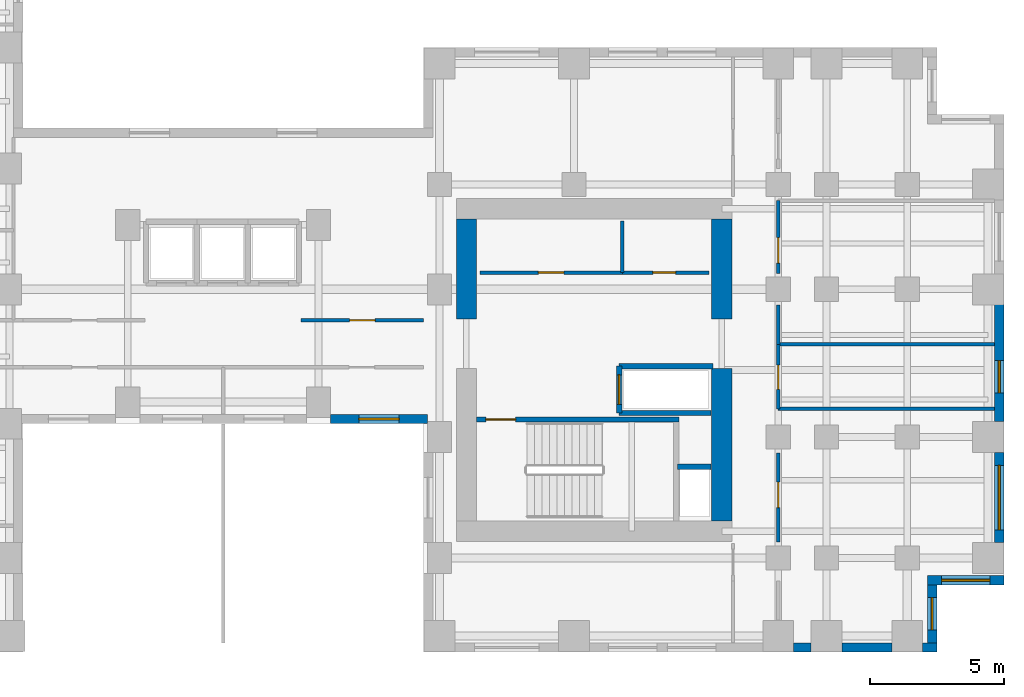
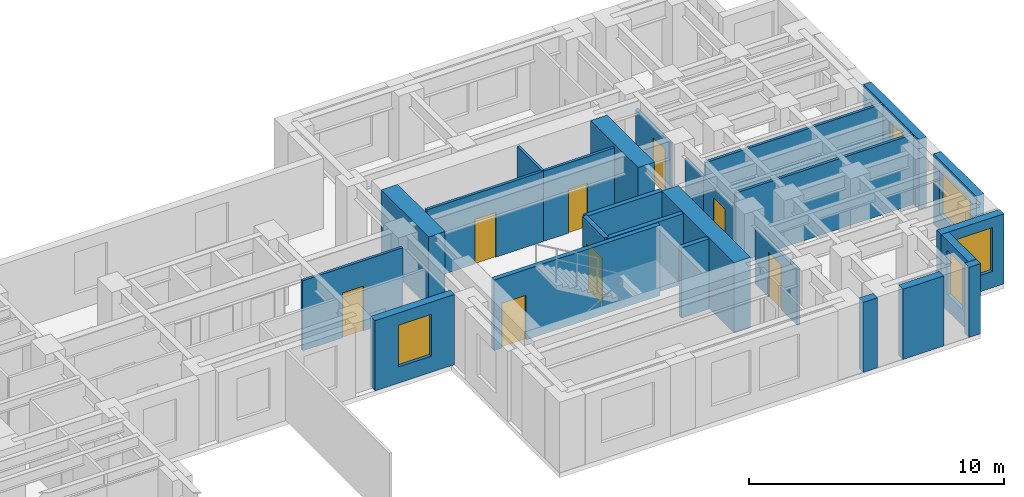
# One storey, part 7 of 11: 26 walls, 8 doors, 5 windows, 13 openings.
"""IFC4 building model written with IfcOpenShell, lengths in metres."""

from ifc_helpers import new_model, si_unit, direction, frame, frame_2d, origin, place, context, subcontext, project, spatial, rectangle, extrude, source, transform, mapped, material, layer, layer_set, type_object, element, fill, save


model = new_model("IFC4")

# Units and contexts
model_context = context("Model", 3, precision=1e-05, world=origin(), true_north=direction((0.0, 1.0)))
body_context = subcontext(model_context, "Body", "Model", "MODEL_VIEW")
ifc_project = project(units=[si_unit("LENGTHUNIT", "METRE"), si_unit("AREAUNIT", "SQUARE_METRE"), si_unit("VOLUMEUNIT", "CUBIC_METRE"), si_unit("PLANEANGLEUNIT", "RADIAN"), si_unit("MASSUNIT", "GRAM", prefix="KILO")], contexts=[model_context])

# Site, building, storey
site_placement = place(None, origin())
site = spatial("IfcSite", under=ifc_project, at=site_placement, CompositionType="ELEMENT")
building_placement = place(site_placement, origin())
building = spatial("IfcBuilding", under=site, at=building_placement, Name="Kharzan Plaza Tower", CompositionType="ELEMENT")
storey_placement = place(building_placement, frame((0.0, 0.0, 99.0)))
storey = spatial("IfcBuildingStorey", under=building, at=storey_placement, Name="L26", CompositionType="ELEMENT", Elevation=99.0)

# Wall, opening, window
ifc_material_1 = material(Name="Concrete C40/50", Category="concrete")
ifc_layer_1 = layer(ifc_material_1, 0.35009765625)
ifc_layer_set_1 = layer_set([ifc_layer_1], Name="Concrete C40/50")
wall_type_1 = type_object("IfcWallType", Name="WL-EXT-MAS-Z2", PredefinedType="SOLIDWALL", material=ifc_layer_set_1)
wall_1_placement = place(storey_placement, frame((30.947998046875, 8.675048828125, 0.0), z_axis=(0.0, 0.0, 1.0), x_axis=(1.0, 0.0, 0.0)))
wall_1 = element("IfcWall", 1, at=wall_1_placement, inside=storey, type_object=wall_type_1, Name="L26 Masonry-Frame Exterior Wall 36", PredefinedType="SOLIDWALL", context=body_context, shape_type="SweptSolid", body=[
    extrude(rectangle(XDim=3.60400390625, YDim=0.35009765625, at=frame_2d((1.802001953125, 0.0))), origin(), (0.0, 0.0, 1.0), 3.364990234375),
])
opening_1_placement = place(wall_1_placement, frame((1.052001953125, 0.0, 0.780029296875)))
opening_1 = element("IfcOpeningElement", 2, at=opening_1_placement, cuts=wall_1, Name="Opening W5", PredefinedType="OPENING", context=body_context, shape_type="SweptSolid", body=[
    extrude(rectangle(XDim=1.5, YDim=2.0, at=frame_2d((0.75, 1.0))), frame((0.0, 0.18505859375, 0.0), z_axis=(0.0, -1.0, 0.0), x_axis=(1.0, 0.0, 0.0)), (0.0, 0.0, 1.0), 0.3701171875),
])
ifc_material_2 = material(Name="Low-E Double Glazing", Category="glass")
window_type_1 = type_object("IfcWindowType", Name="WN-SLT-1500x2000", PartitioningType="SINGLE_PANEL", PredefinedType="WINDOW", material=ifc_material_2)
shared_shape_1 = source(origin(), body_context, "Body", "SweptSolid", [
    extrude(rectangle(XDim=1.5, YDim=2.0, at=frame_2d((0.75, 1.0))), frame((0.0, 0.030029296875, 0.0), z_axis=(0.0, -1.0, 0.0), x_axis=(1.0, 0.0, 0.0)), (0.0, 0.0, 1.0), 0.06005859375),
])
window_1_placement = place(opening_1_placement, origin())
window_1 = element("IfcWindow", 3, at=window_1_placement, inside=storey, type_object=window_type_1, Name="L26 Recessed Solar-Control Window 36-1", OverallHeight=2.0, OverallWidth=1.5, PartitioningType="SINGLE_PANEL", PredefinedType="WINDOW", context=body_context, shape_type="MappedRepresentation", body=[
    mapped(shared_shape_1, transform((0.0, 0.0, 0.0), x_axis=(1.0, 0.0, 0.0), y_axis=(0.0, 1.0, 0.0), z_axis=(0.0, 0.0, 1.0))),
])
fill(opening_1, window_1)

wall_2_placement = place(storey_placement, frame((53.324951171875, 0.347900390625, 0.0), z_axis=(0.0, 0.0, 1.0), x_axis=(0.0, 1.0, 0.0)))
wall_2 = element("IfcWall", 4, at=wall_2_placement, inside=storey, type_object=wall_type_1, Name="L26 Masonry-Frame Exterior Wall 44", PredefinedType="SOLIDWALL", context=body_context, shape_type="SweptSolid", body=[
    extrude(rectangle(XDim=2.154052734375, YDim=0.35009765625, at=frame_2d((1.0771484375, 0.0))), origin(), (0.0, 0.0, 1.0), 3.364990234375),
])
opening_2_placement = place(wall_2_placement, frame((0.47705078125, 0.0, 0.780029296875)))
opening_2 = element("IfcOpeningElement", 5, at=opening_2_placement, cuts=wall_2, Name="Opening W3", PredefinedType="OPENING", context=body_context, shape_type="SweptSolid", body=[
    extrude(rectangle(XDim=1.199951171875, YDim=2.10009765625, at=frame_2d((0.60009765625, 1.050048828125))), frame((0.0, 0.18505859375, 0.0), z_axis=(0.0, -1.0, 0.0), x_axis=(1.0, 0.0, 0.0)), (0.0, 0.0, 1.0), 0.3701171875),
])
window_type_2 = type_object("IfcWindowType", Name="WN-REC-1200x2100", PartitioningType="SINGLE_PANEL", PredefinedType="WINDOW", material=ifc_material_2)
shared_shape_2 = source(origin(), body_context, "Body", "SweptSolid", [
    extrude(rectangle(XDim=1.199951171875, YDim=2.10009765625, at=frame_2d((0.60009765625, 1.050048828125))), frame((0.0, 0.030029296875, 0.0), z_axis=(0.0, -1.0, 0.0), x_axis=(1.0, 0.0, 0.0)), (0.0, 0.0, 1.0), 0.06005859375),
])
window_2_placement = place(opening_2_placement, origin())
window_2 = element("IfcWindow", 6, at=window_2_placement, inside=storey, type_object=window_type_2, Name="L26 Recessed Solar-Control Window 44-1", OverallHeight=2.10009765625, OverallWidth=1.199951171875, PartitioningType="SINGLE_PANEL", PredefinedType="WINDOW", context=body_context, shape_type="MappedRepresentation", body=[
    mapped(shared_shape_2, transform((0.0, 0.0, 0.0), x_axis=(1.0, 0.0, 0.0), y_axis=(0.0, 1.0, 0.0), z_axis=(0.0, 0.0, 1.0))),
])
fill(opening_2, window_2)

wall_3_placement = place(storey_placement, frame((53.14990234375, 2.675048828125, 0.0), z_axis=(0.0, 0.0, 1.0), x_axis=(1.0, 0.0, 0.0)))
wall_3 = element("IfcWall", 7, at=wall_3_placement, inside=storey, type_object=wall_type_1, Name="L26 Masonry-Frame Exterior Wall 45", PredefinedType="SOLIDWALL", context=body_context, shape_type="SweptSolid", body=[
    extrude(rectangle(XDim=2.85009765625, YDim=0.35009765625, at=frame_2d((1.425048828125, 0.0))), origin(), (0.0, 0.0, 1.0), 3.364990234375),
])
opening_3_placement = place(wall_3_placement, frame((0.52490234375, 0.0, 0.780029296875)))
opening_3 = element("IfcOpeningElement", 8, at=opening_3_placement, cuts=wall_3, Name="Opening W1", PredefinedType="OPENING", context=body_context, shape_type="SweptSolid", body=[
    extrude(rectangle(XDim=1.800048828125, YDim=2.10009765625, at=frame_2d((0.89990234375, 1.050048828125))), frame((0.0, 0.18505859375, 0.0), z_axis=(0.0, -1.0, 0.0), x_axis=(1.0, 0.0, 0.0)), (0.0, 0.0, 1.0), 0.3701171875),
])
window_type_3 = type_object("IfcWindowType", Name="WN-REC-1800x2100", PartitioningType="SINGLE_PANEL", PredefinedType="WINDOW", material=ifc_material_2)
shared_shape_3 = source(origin(), body_context, "Body", "SweptSolid", [
    extrude(rectangle(XDim=1.800048828125, YDim=2.10009765625, at=frame_2d((0.89990234375, 1.050048828125))), frame((0.0, 0.030029296875, 0.0), z_axis=(0.0, -1.0, 0.0), x_axis=(1.0, 0.0, 0.0)), (0.0, 0.0, 1.0), 0.06005859375),
])
window_3_placement = place(opening_3_placement, origin())
window_3 = element("IfcWindow", 9, at=window_3_placement, inside=storey, type_object=window_type_3, Name="L26 Recessed Solar-Control Window 45-1", OverallHeight=2.10009765625, OverallWidth=1.800048828125, PartitioningType="SINGLE_PANEL", PredefinedType="WINDOW", context=body_context, shape_type="MappedRepresentation", body=[
    mapped(shared_shape_3, transform((0.0, 0.0, 0.0), x_axis=(1.0, 0.0, 0.0), y_axis=(0.0, 1.0, 0.0), z_axis=(0.0, 0.0, 1.0))),
])
fill(opening_3, window_3)

wall_4_placement = place(storey_placement, frame((55.824951171875, 4.072998046875, 0.0), z_axis=(0.0, 0.0, 1.0), x_axis=(0.0, 1.0, 0.0)))
wall_4 = element("IfcWall", 10, at=wall_4_placement, inside=storey, type_object=wall_type_1, Name="L26 Masonry-Frame Exterior Wall 46", PredefinedType="SOLIDWALL", context=body_context, shape_type="SweptSolid", body=[
    extrude(rectangle(XDim=3.35400390625, YDim=0.35009765625, at=frame_2d((1.677001953125, 0.0))), origin(), (0.0, 0.0, 1.0), 3.364990234375),
])
opening_4_placement = place(wall_4_placement, frame((0.47705078125, 0.0, 0.780029296875)))
opening_4 = element("IfcOpeningElement", 11, at=opening_4_placement, cuts=wall_4, Name="Opening W2", PredefinedType="OPENING", context=body_context, shape_type="SweptSolid", body=[
    extrude(rectangle(XDim=2.39990234375, YDim=2.10009765625, at=frame_2d((1.199951171875, 1.050048828125))), frame((0.0, 0.18505859375, 0.0), z_axis=(0.0, -1.0, 0.0), x_axis=(1.0, 0.0, 0.0)), (0.0, 0.0, 1.0), 0.3701171875),
])
window_type_4 = type_object("IfcWindowType", Name="WN-REC-2400x2100", PartitioningType="SINGLE_PANEL", PredefinedType="WINDOW", material=ifc_material_2)
shared_shape_4 = source(origin(), body_context, "Body", "SweptSolid", [
    extrude(rectangle(XDim=2.39990234375, YDim=2.10009765625, at=frame_2d((1.199951171875, 1.050048828125))), frame((0.0, 0.030029296875, 0.0), z_axis=(0.0, -1.0, 0.0), x_axis=(1.0, 0.0, 0.0)), (0.0, 0.0, 1.0), 0.06005859375),
])
window_4_placement = place(opening_4_placement, origin())
window_4 = element("IfcWindow", 12, at=window_4_placement, inside=storey, type_object=window_type_4, Name="L26 Wide Recessed Solar-Control Window 46-1", OverallHeight=2.10009765625, OverallWidth=2.39990234375, PartitioningType="SINGLE_PANEL", PredefinedType="WINDOW", context=body_context, shape_type="MappedRepresentation", body=[
    mapped(shared_shape_4, transform((0.0, 0.0, 0.0), x_axis=(1.0, 0.0, 0.0), y_axis=(0.0, 1.0, 0.0), z_axis=(0.0, 0.0, 1.0))),
])
fill(opening_4, window_4)

wall_5_placement = place(storey_placement, frame((55.824951171875, 8.572998046875, 0.0), z_axis=(0.0, 0.0, 1.0), x_axis=(0.0, 1.0, 0.0)))
wall_5 = element("IfcWall", 13, at=wall_5_placement, inside=storey, type_object=wall_type_1, Name="L26 Masonry-Frame Exterior Wall 47", PredefinedType="SOLIDWALL", context=body_context, shape_type="SweptSolid", body=[
    extrude(rectangle(XDim=4.35400390625, YDim=0.35009765625, at=frame_2d((2.177001953125, 0.0))), origin(), (0.0, 0.0, 1.0), 3.364990234375),
])
opening_5_placement = place(wall_5_placement, frame((1.076904296875, 0.0, 0.780029296875)))
opening_5 = element("IfcOpeningElement", 14, at=opening_5_placement, cuts=wall_5, Name="Opening W3", PredefinedType="OPENING", context=body_context, shape_type="SweptSolid", body=[
    extrude(rectangle(XDim=1.199951171875, YDim=2.10009765625, at=frame_2d((0.60009765625, 1.050048828125))), frame((0.0, 0.18505859375, 0.0), z_axis=(0.0, -1.0, 0.0), x_axis=(1.0, 0.0, 0.0)), (0.0, 0.0, 1.0), 0.3701171875),
])
window_5_placement = place(opening_5_placement, origin())
window_5 = element("IfcWindow", 15, at=window_5_placement, inside=storey, type_object=window_type_2, Name="L26 Recessed Solar-Control Window 47-1", OverallHeight=2.10009765625, OverallWidth=1.199951171875, PartitioningType="SINGLE_PANEL", PredefinedType="WINDOW", context=body_context, shape_type="MappedRepresentation", body=[
    mapped(shared_shape_2, transform((0.0, 0.0, 0.0), x_axis=(1.0, 0.0, 0.0), y_axis=(0.0, 1.0, 0.0), z_axis=(0.0, 0.0, 1.0))),
])
fill(opening_5, window_5)

# Wall, opening, door
ifc_material_3 = material(Name="Fire-Rated Gypsum Board Partition", Category="gypsum")
ifc_layer_2 = layer(ifc_material_3, 0.125)
ifc_layer_set_2 = layer_set([ifc_layer_2], Name="Fire-Rated Gypsum Board Partition")
wall_type_2 = type_object("IfcWallType", Name="WL-INT-PART-125", PredefinedType="PARTITIONING", material=ifc_layer_set_2)
wall_6_placement = place(storey_placement, frame((36.5, 14.1201171875, 0.0), z_axis=(0.0, 0.0, 1.0), x_axis=(1.0, 0.0, 0.0)))
wall_6 = element("IfcWall", 16, at=wall_6_placement, inside=storey, type_object=wall_type_2, Name="L26 Interior Partition CB-RBLSA", PredefinedType="PARTITIONING", context=body_context, shape_type="SweptSolid", body=[
    extrude(rectangle(XDim=5.300048828125, YDim=0.125, at=frame_2d((2.64990234375, 0.0))), origin(), (0.0, 0.0, 1.0), 3.364990234375),
])
opening_6_placement = place(wall_6_placement, frame((2.175048828125, 0.0, 0.0)))
opening_6 = element("IfcOpeningElement", 17, at=opening_6_placement, cuts=wall_6, Name="Opening OD1", PredefinedType="OPENING", context=body_context, shape_type="SweptSolid", body=[
    extrude(rectangle(XDim=0.949951171875, YDim=2.14990234375, at=frame_2d((0.47509765625, 1.074951171875))), frame((0.0, 0.072509765625, 0.0), z_axis=(0.0, -1.0, 0.0), x_axis=(1.0, 0.0, 0.0)), (0.0, 0.0, 1.0), 0.14501953125),
])
ifc_material_4 = material(Name="Acoustic Solid-Core Stained Oak", Category="timber")
door_type_1 = type_object("IfcDoorType", Name="DR-OFF-SINGLE", OperationType="NOTDEFINED", PredefinedType="DOOR", material=ifc_material_4)
shared_shape_5 = source(origin(), body_context, "Body", "SweptSolid", [
    extrude(rectangle(XDim=0.949951171875, YDim=2.14990234375, at=frame_2d((0.47509765625, 1.074951171875))), frame((0.0, 0.02490234375, 0.0), z_axis=(0.0, -1.0, 0.0), x_axis=(1.0, 0.0, 0.0)), (0.0, 0.0, 1.0), 0.050048828125),
])
door_1_placement = place(opening_6_placement, origin())
door_1 = element("IfcDoor", 18, at=door_1_placement, inside=storey, type_object=door_type_1, Name="L26 Records Room Door", OperationType="SINGLE_SWING_RIGHT", OverallHeight=2.14990234375, OverallWidth=0.949951171875, PredefinedType="DOOR", context=body_context, shape_type="MappedRepresentation", body=[
    mapped(shared_shape_5, transform((0.0, 0.0, 0.0), x_axis=(1.0, 0.0, 0.0), y_axis=(0.0, 1.0, 0.0), z_axis=(0.0, 0.0, 1.0))),
])
fill(opening_6, door_1)

wall_7_placement = place(storey_placement, frame((41.800048828125, 14.1201171875, 0.0), z_axis=(0.0, 0.0, 1.0), x_axis=(1.0, 0.0, 0.0)))
wall_7 = element("IfcWall", 19, at=wall_7_placement, inside=storey, type_object=wall_type_2, Name="L26 Interior Partition CB-RBLSB", PredefinedType="PARTITIONING", context=body_context, shape_type="SweptSolid", body=[
    extrude(rectangle(XDim=3.219970703125, YDim=0.125, at=frame_2d((1.60986328125, 0.0))), origin(), (0.0, 0.0, 1.0), 3.364990234375),
])
opening_7_placement = place(wall_7_placement, frame((1.135009765625, 0.0, 0.0)))
opening_7 = element("IfcOpeningElement", 20, at=opening_7_placement, cuts=wall_7, Name="Opening RD1", PredefinedType="OPENING", context=body_context, shape_type="SweptSolid", body=[
    extrude(rectangle(XDim=0.85009765625, YDim=2.10009765625, at=frame_2d((0.425048828125, 1.050048828125))), frame((0.0, 0.072509765625, 0.0), z_axis=(0.0, -1.0, 0.0), x_axis=(1.0, 0.0, 0.0)), (0.0, 0.0, 1.0), 0.14501953125),
])
ifc_material_5 = material(Name="Powder-Coated Fire-Rated Steel", Category="steel")
door_type_2 = type_object("IfcDoorType", Name="DR-RISER-900", OperationType="NOTDEFINED", PredefinedType="DOOR", material=ifc_material_5)
shared_shape_6 = source(origin(), body_context, "Body", "SweptSolid", [
    extrude(rectangle(XDim=0.85009765625, YDim=2.10009765625, at=frame_2d((0.425048828125, 1.050048828125))), frame((0.0, 0.02490234375, 0.0), z_axis=(0.0, -1.0, 0.0), x_axis=(1.0, 0.0, 0.0)), (0.0, 0.0, 1.0), 0.050048828125),
])
door_2_placement = place(opening_7_placement, origin())
door_2 = element("IfcDoor", 21, at=door_2_placement, inside=storey, type_object=door_type_2, Name="L26 Housekeeping Store Door", OperationType="SINGLE_SWING_LEFT", OverallHeight=2.10009765625, OverallWidth=0.85009765625, PredefinedType="DOOR", context=body_context, shape_type="MappedRepresentation", body=[
    mapped(shared_shape_6, transform((0.0, 0.0, 0.0), x_axis=(1.0, 0.0, 0.0), y_axis=(0.0, 1.0, 0.0), z_axis=(0.0, 0.0, 1.0))),
])
fill(opening_7, door_2)

wall_8_placement = place(storey_placement, frame((47.60009765625, 4.090087890625, 0.0), z_axis=(0.0, 0.0, 1.0), x_axis=(0.0, 1.0, 0.0)))
wall_8 = element("IfcWall", 22, at=wall_8_placement, inside=storey, type_object=wall_type_2, Name="L26 Interior Partition SH-B1W0", PredefinedType="PARTITIONING", context=body_context, shape_type="SweptSolid", body=[
    extrude(rectangle(XDim=3.31982421875, YDim=0.125, at=frame_2d((1.659912109375, 0.0))), origin(), (0.0, 0.0, 1.0), 2.677001953125),
])
opening_8_placement = place(wall_8_placement, frame((1.284912109375, 0.0, 0.0)))
opening_8 = element("IfcOpeningElement", 23, at=opening_8_placement, cuts=wall_8, Name="Opening OD1", PredefinedType="OPENING", context=body_context, shape_type="SweptSolid", body=[
    extrude(rectangle(XDim=0.949951171875, YDim=2.14990234375, at=frame_2d((0.47509765625, 1.074951171875))), frame((0.0, 0.072509765625, 0.0), z_axis=(0.0, -1.0, 0.0), x_axis=(1.0, 0.0, 0.0)), (0.0, 0.0, 1.0), 0.14501953125),
])
door_3_placement = place(opening_8_placement, origin())
door_3 = element("IfcDoor", 24, at=door_3_placement, inside=storey, type_object=door_type_1, Name="L26 Wing B South Studio Door", OperationType="SINGLE_SWING_LEFT", OverallHeight=2.14990234375, OverallWidth=0.949951171875, PredefinedType="DOOR", context=body_context, shape_type="MappedRepresentation", body=[
    mapped(shared_shape_5, transform((0.0, 0.0, 0.0), x_axis=(1.0, 0.0, 0.0), y_axis=(0.0, 1.0, 0.0), z_axis=(0.0, 0.0, 1.0))),
])
fill(opening_8, door_3)

wall_9_placement = place(storey_placement, frame((47.60009765625, 14.090087890625, 0.0), z_axis=(0.0, 0.0, 1.0), x_axis=(0.0, 1.0, 0.0)))
wall_9 = element("IfcWall", 25, at=wall_9_placement, inside=storey, type_object=wall_type_2, Name="L26 Interior Partition SH-B1W1-S2", PredefinedType="PARTITIONING", context=body_context, shape_type="SweptSolid", body=[
    extrude(rectangle(XDim=2.7099609375, YDim=0.125, at=frame_2d((1.35498046875, 0.0))), origin(), (0.0, 0.0, 1.0), 2.677001953125),
])
opening_9_placement = place(wall_9_placement, frame((0.3798828125, 0.0, 0.0)))
opening_9 = element("IfcOpeningElement", 26, at=opening_9_placement, cuts=wall_9, Name="Opening OD1", PredefinedType="OPENING", context=body_context, shape_type="SweptSolid", body=[
    extrude(rectangle(XDim=0.949951171875, YDim=2.14990234375, at=frame_2d((0.47509765625, 1.074951171875))), frame((0.0, 0.072509765625, 0.0), z_axis=(0.0, -1.0, 0.0), x_axis=(1.0, 0.0, 0.0)), (0.0, 0.0, 1.0), 0.14501953125),
])
door_4_placement = place(opening_9_placement, origin())
door_4 = element("IfcDoor", 27, at=door_4_placement, inside=storey, type_object=door_type_1, Name="L26 Wing B Mid Office Door", OperationType="SINGLE_SWING_RIGHT", OverallHeight=2.14990234375, OverallWidth=0.949951171875, PredefinedType="DOOR", context=body_context, shape_type="MappedRepresentation", body=[
    mapped(shared_shape_5, transform((0.0, 0.0, 0.0), x_axis=(1.0, 0.0, 0.0), y_axis=(0.0, 1.0, 0.0), z_axis=(0.0, 0.0, 1.0))),
])
fill(opening_9, door_4)

wall_10_placement = place(storey_placement, frame((47.60009765625, 9.050048828125, 0.0), z_axis=(0.0, 0.0, 1.0), x_axis=(0.0, 1.0, 0.0)))
wall_10 = element("IfcWall", 28, at=wall_10_placement, inside=storey, type_object=wall_type_2, Name="L26 Interior Partition SH-B1WC", PredefinedType="PARTITIONING", context=body_context, shape_type="SweptSolid", body=[
    extrude(rectangle(XDim=2.39990234375, YDim=0.125, at=frame_2d((1.199951171875, 0.0))), origin(), (0.0, 0.0, 1.0), 2.677001953125),
])
opening_10_placement = place(wall_10_placement, frame((0.72509765625, 0.0, 0.0)))
opening_10 = element("IfcOpeningElement", 29, at=opening_10_placement, cuts=wall_10, Name="Opening WD1", PredefinedType="OPENING", context=body_context, shape_type="SweptSolid", body=[
    extrude(rectangle(XDim=0.89990234375, YDim=2.14990234375, at=frame_2d((0.449951171875, 1.074951171875))), frame((0.0, 0.072509765625, 0.0), z_axis=(0.0, -1.0, 0.0), x_axis=(1.0, 0.0, 0.0)), (0.0, 0.0, 1.0), 0.14501953125),
])
ifc_material_6 = material(Name="Moisture-Resistant Fire-Rated Laminate", Category="timber")
door_type_3 = type_object("IfcDoorType", Name="DR-WC-900", OperationType="NOTDEFINED", PredefinedType="DOOR", material=ifc_material_6)
shared_shape_7 = source(origin(), body_context, "Body", "SweptSolid", [
    extrude(rectangle(XDim=0.89990234375, YDim=2.14990234375, at=frame_2d((0.449951171875, 1.074951171875))), frame((0.0, 0.02490234375, 0.0), z_axis=(0.0, -1.0, 0.0), x_axis=(1.0, 0.0, 0.0)), (0.0, 0.0, 1.0), 0.050048828125),
])
door_5_placement = place(opening_10_placement, origin())
door_5 = element("IfcDoor", 30, at=door_5_placement, inside=storey, type_object=door_type_3, Name="L26 Wing B Washroom Door", OperationType="SINGLE_SWING_RIGHT", OverallHeight=2.14990234375, OverallWidth=0.89990234375, PredefinedType="DOOR", context=body_context, shape_type="MappedRepresentation", body=[
    mapped(shared_shape_7, transform((0.0, 0.0, 0.0), x_axis=(1.0, 0.0, 0.0), y_axis=(0.0, 1.0, 0.0), z_axis=(0.0, 0.0, 1.0))),
])
fill(opening_10, door_5)

wall_11_placement = place(storey_placement, frame((29.85009765625, 12.35009765625, 0.0), z_axis=(0.0, 0.0, 1.0), x_axis=(1.0, 0.0, 0.0)))
wall_11 = element("IfcWall", 31, at=wall_11_placement, inside=storey, type_object=wall_type_2, Name="L26 Interior Partition SH-SPNE1", PredefinedType="PARTITIONING", context=body_context, shape_type="SweptSolid", body=[
    extrude(rectangle(XDim=4.5498046875, YDim=0.125, at=frame_2d((2.27490234375, 0.0))), origin(), (0.0, 0.0, 1.0), 3.364990234375),
])
opening_11_placement = place(wall_11_placement, frame((1.800048828125, 0.0, 0.0)))
opening_11 = element("IfcOpeningElement", 32, at=opening_11_placement, cuts=wall_11, Name="Opening OD1", PredefinedType="OPENING", context=body_context, shape_type="SweptSolid", body=[
    extrude(rectangle(XDim=0.949951171875, YDim=2.14990234375, at=frame_2d((0.47509765625, 1.074951171875))), frame((0.0, 0.072509765625, 0.0), z_axis=(0.0, -1.0, 0.0), x_axis=(1.0, 0.0, 0.0)), (0.0, 0.0, 1.0), 0.14501953125),
])
door_6_placement = place(opening_11_placement, origin())
door_6 = element("IfcDoor", 33, at=door_6_placement, inside=storey, type_object=door_type_1, Name="L26 North-East Spine Door", OperationType="SINGLE_SWING_RIGHT", OverallHeight=2.14990234375, OverallWidth=0.949951171875, PredefinedType="DOOR", context=body_context, shape_type="MappedRepresentation", body=[
    mapped(shared_shape_5, transform((0.0, 0.0, 0.0), x_axis=(1.0, 0.0, 0.0), y_axis=(0.0, 1.0, 0.0), z_axis=(0.0, 0.0, 1.0))),
])
fill(opening_11, door_6)

ifc_layer_3 = layer(ifc_material_1, 0.199951171875)
ifc_layer_set_3 = layer_set([ifc_layer_3], Name="Concrete C40/50")
wall_type_3 = type_object("IfcWallType", Name="WL-INT-SHAFT-200", PredefinedType="PARTITIONING", material=ifc_layer_set_3)
wall_12_placement = place(storey_placement, frame((41.679931640625, 8.89990234375, 0.0), z_axis=(0.0, 0.0, 1.0), x_axis=(0.0, 1.0, 0.0)))
wall_12 = element("IfcWall", 34, at=wall_12_placement, inside=storey, type_object=wall_type_3, Name="L26 Interior Partition SHF-SVL-2-W", PredefinedType="PARTITIONING", context=body_context, shape_type="SweptSolid", body=[
    extrude(rectangle(XDim=1.739990234375, YDim=0.199951171875, at=frame_2d((0.8701171875, 0.0))), origin(), (0.0, 0.0, 1.0), 3.364990234375),
])
opening_12_placement = place(wall_12_placement, frame((0.320068359375, 0.0, 0.0)))
opening_12 = element("IfcOpeningElement", 35, at=opening_12_placement, cuts=wall_12, Name="Opening LD", PredefinedType="OPENING", context=body_context, shape_type="SweptSolid", body=[
    extrude(rectangle(XDim=1.10009765625, YDim=2.199951171875, at=frame_2d((0.550048828125, 1.10009765625))), frame((0.0, 0.10986328125, 0.0), z_axis=(0.0, -1.0, 0.0), x_axis=(1.0, 0.0, 0.0)), (0.0, 0.0, 1.0), 0.219970703125),
])
ifc_material_7 = material(Name="Brushed Stainless Steel", Category="steel")
door_type_4 = type_object("IfcDoorType", Name="DR-LIFT-SLIDE", OperationType="SLIDING_TO_LEFT", PredefinedType="DOOR", material=ifc_material_7)
shared_shape_8 = source(origin(), body_context, "Body", "SweptSolid", [
    extrude(rectangle(XDim=1.10009765625, YDim=2.199951171875, at=frame_2d((0.550048828125, 1.10009765625))), frame((0.0, 0.02490234375, 0.0), z_axis=(0.0, -1.0, 0.0), x_axis=(1.0, 0.0, 0.0)), (0.0, 0.0, 1.0), 0.050048828125),
])
door_7_placement = place(opening_12_placement, origin())
door_7 = element("IfcDoor", 36, at=door_7_placement, inside=storey, type_object=door_type_4, Name="L26 Service Lift SVL-2 Sliding Landing Door", OperationType="SLIDING_TO_LEFT", OverallHeight=2.199951171875, OverallWidth=1.10009765625, PredefinedType="DOOR", context=body_context, shape_type="MappedRepresentation", body=[
    mapped(shared_shape_8, transform((0.0, 0.0, 0.0), x_axis=(1.0, 0.0, 0.0), y_axis=(0.0, 1.0, 0.0), z_axis=(0.0, 0.0, 1.0))),
])
fill(opening_12, door_7)

ifc_material_8 = material(Name="Concrete C50/60", Category="concrete")
ifc_layer_4 = layer(ifc_material_8, 0.199951171875)
ifc_layer_set_4 = layer_set([ifc_layer_4], Name="Concrete C50/60")
wall_type_4 = type_object("IfcWallType", Name="WL-SHAFT-RC200", PredefinedType="SHEAR", material=ifc_layer_set_4)
wall_13_placement = place(storey_placement, frame((36.376953125, 8.655029296875, 0.0), z_axis=(0.0, 0.0, 1.0), x_axis=(1.0, 0.0, 0.0)))
wall_13 = element("IfcWall", 37, at=wall_13_placement, inside=storey, type_object=wall_type_4, Name="L26 Stair ST-3 North RC Shaft Wall", PredefinedType="SHEAR", context=body_context, shape_type="SweptSolid", body=[
    extrude(rectangle(XDim=7.528076171875, YDim=0.199951171875, at=frame_2d((3.76416015625, 0.0))), origin(), (0.0, 0.0, 1.0), 3.3798828125),
])
opening_13_placement = place(wall_13_placement, frame((0.35009765625, 0.0, 0.0)))
opening_13 = element("IfcOpeningElement", 38, at=opening_13_placement, cuts=wall_13, Name="Opening SD1", PredefinedType="OPENING", context=body_context, shape_type="SweptSolid", body=[
    extrude(rectangle(XDim=1.10009765625, YDim=2.14990234375, at=frame_2d((0.550048828125, 1.074951171875))), frame((0.0, 0.10986328125, 0.0), z_axis=(0.0, -1.0, 0.0), x_axis=(1.0, 0.0, 0.0)), (0.0, 0.0, 1.0), 0.219970703125),
])
ifc_material_9 = material(Name="Fire-Rated Hollow Galvanized Steel", Category="steel")
door_type_5 = type_object("IfcDoorType", Name="DR-STAIR-FD120", OperationType="NOTDEFINED", PredefinedType="DOOR", material=ifc_material_9)
shared_shape_9 = source(origin(), body_context, "Body", "SweptSolid", [
    extrude(rectangle(XDim=1.10009765625, YDim=2.14990234375, at=frame_2d((0.550048828125, 1.074951171875))), frame((0.0, 0.02490234375, 0.0), z_axis=(0.0, -1.0, 0.0), x_axis=(1.0, 0.0, 0.0)), (0.0, 0.0, 1.0), 0.050048828125),
])
door_8_placement = place(opening_13_placement, origin())
door_8 = element("IfcDoor", 39, at=door_8_placement, inside=storey, type_object=door_type_5, Name="L26 Stair ST-3 Fire Exit Door", OperationType="SINGLE_SWING_LEFT", OverallHeight=2.14990234375, OverallWidth=1.10009765625, PredefinedType="DOOR", context=body_context, shape_type="MappedRepresentation", body=[
    mapped(shared_shape_9, transform((0.0, 0.0, 0.0), x_axis=(1.0, 0.0, 0.0), y_axis=(0.0, 1.0, 0.0), z_axis=(0.0, 0.0, 1.0))),
])
fill(opening_13, door_8)

# Walls
shared_shape_10 = source(origin(), body_context, "Body", "SweptSolid", [
    extrude(rectangle(XDim=3.489990234375, YDim=0.199951171875, at=frame_2d((1.7451171875, 0.0))), origin(), (0.0, 0.0, 1.0), 3.364990234375),
])
wall_14_placement = place(storey_placement, frame((41.679931640625, 10.639892578125, 0.0), z_axis=(0.0, 0.0, 1.0), x_axis=(1.0, 0.0, 0.0)))
element("IfcWall", 40, at=wall_14_placement, inside=storey, type_object=wall_type_3, Name="L26 Interior Partition SHF-SVL-2-N", PredefinedType="PARTITIONING", context=body_context, shape_type="MappedRepresentation", body=[
    mapped(shared_shape_10, transform((0.0, 0.0, 0.0), x_axis=(1.0, 0.0, 0.0), y_axis=(0.0, 1.0, 0.0), z_axis=(0.0, 0.0, 1.0))),
])
shared_shape_11 = source(origin(), body_context, "Body", "SweptSolid", [
    extrude(rectangle(XDim=0.65380859375, YDim=0.35009765625, at=frame_2d((0.326904296875, 0.0))), origin(), (0.0, 0.0, 1.0), 3.364990234375),
])
wall_15_placement = place(storey_placement, frame((48.173095703125, 0.175048828125, 0.0), z_axis=(0.0, 0.0, 1.0), x_axis=(1.0, 0.0, 0.0)))
element("IfcWall", 41, at=wall_15_placement, inside=storey, type_object=wall_type_1, Name="L26 Masonry-Frame Exterior Wall 41", PredefinedType="SOLIDWALL", context=body_context, shape_type="MappedRepresentation", body=[
    mapped(shared_shape_11, transform((0.0, 0.0, 0.0), x_axis=(1.0, 0.0, 0.0), y_axis=(0.0, 1.0, 0.0), z_axis=(0.0, 0.0, 1.0))),
])
shared_shape_12 = source(origin(), body_context, "Body", "SweptSolid", [
    extrude(rectangle(XDim=1.85400390625, YDim=0.35009765625, at=frame_2d((0.927001953125, 0.0))), origin(), (0.0, 0.0, 1.0), 3.364990234375),
])
wall_16_placement = place(storey_placement, frame((49.972900390625, 0.175048828125, 0.0), z_axis=(0.0, 0.0, 1.0), x_axis=(1.0, 0.0, 0.0)))
element("IfcWall", 42, at=wall_16_placement, inside=storey, type_object=wall_type_1, Name="L26 Masonry-Frame Exterior Wall 42", PredefinedType="SOLIDWALL", context=body_context, shape_type="MappedRepresentation", body=[
    mapped(shared_shape_12, transform((0.0, 0.0, 0.0), x_axis=(1.0, 0.0, 0.0), y_axis=(0.0, 1.0, 0.0), z_axis=(0.0, 0.0, 1.0))),
])
shared_shape_13 = source(origin(), body_context, "Body", "SweptSolid", [
    extrude(rectangle(XDim=0.527099609375, YDim=0.35009765625, at=frame_2d((0.263671875, 0.0))), origin(), (0.0, 0.0, 1.0), 3.364990234375),
])
wall_17_placement = place(storey_placement, frame((52.972900390625, 0.175048828125, 0.0), z_axis=(0.0, 0.0, 1.0), x_axis=(1.0, 0.0, 0.0)))
element("IfcWall", 43, at=wall_17_placement, inside=storey, type_object=wall_type_1, Name="L26 Masonry-Frame Exterior Wall 43", PredefinedType="SOLIDWALL", context=body_context, shape_type="MappedRepresentation", body=[
    mapped(shared_shape_13, transform((0.0, 0.0, 0.0), x_axis=(1.0, 0.0, 0.0), y_axis=(0.0, 1.0, 0.0), z_axis=(0.0, 0.0, 1.0))),
])
shared_shape_14 = source(origin(), body_context, "Body", "SweptSolid", [
    extrude(rectangle(XDim=8.0478515625, YDim=0.125, at=frame_2d((4.02392578125, 0.0))), origin(), (0.0, 0.0, 1.0), 3.364990234375),
])
for number, where, z_axis, x_axis, name in (
    (44, (47.60009765625, 11.449951171875, 0.0), (0.0, 0.0, 1.0), (1.0, 0.0, 0.0), "L26 Interior Partition SH-B1H-118"),
    (45, (47.60009765625, 9.050048828125, 0.0), (0.0, 0.0, 1.0), (1.0, 0.0, 0.0), "L26 Interior Partition SH-B1H-90"),
):
    element("IfcWall", number, at=place(storey_placement, frame(where, z_axis=z_axis, x_axis=x_axis)), inside=storey, type_object=wall_type_2, Name=name, PredefinedType="PARTITIONING", context=body_context, shape_type="MappedRepresentation", body=[
        mapped(shared_shape_14, transform((0.0, 0.0, 0.0), x_axis=(1.0, 0.0, 0.0), y_axis=(0.0, 1.0, 0.0), z_axis=(0.0, 0.0, 1.0))),
    ])
shared_shape_15 = source(origin(), body_context, "Body", "SweptSolid", [
    extrude(rectangle(XDim=1.244873046875, YDim=0.199951171875, at=frame_2d((0.62255859375, 0.0))), origin(), (0.0, 0.0, 1.0), 3.364990234375),
])
wall_18_placement = place(storey_placement, frame((43.85009765625, 6.89990234375, 0.0), z_axis=(0.0, 0.0, 1.0), x_axis=(1.0, 0.0, 0.0)))
element("IfcWall", 46, at=wall_18_placement, inside=storey, type_object=wall_type_3, Name="L26 Interior Partition CB-RSRB-N", PredefinedType="PARTITIONING", context=body_context, shape_type="MappedRepresentation", body=[
    mapped(shared_shape_15, transform((0.0, 0.0, 0.0), x_axis=(1.0, 0.0, 0.0), y_axis=(0.0, 1.0, 0.0), z_axis=(0.0, 0.0, 1.0))),
])
shared_shape_16 = source(origin(), body_context, "Body", "SweptSolid", [
    extrude(rectangle(XDim=3.4150390625, YDim=0.199951171875, at=frame_2d((1.70751953125, 0.0))), origin(), (0.0, 0.0, 1.0), 3.364990234375),
])
wall_19_placement = place(storey_placement, frame((41.679931640625, 8.89990234375, 0.0), z_axis=(0.0, 0.0, 1.0), x_axis=(1.0, 0.0, 0.0)))
element("IfcWall", 47, at=wall_19_placement, inside=storey, type_object=wall_type_3, Name="L26 Interior Partition SHF-SVL-2-S", PredefinedType="PARTITIONING", context=body_context, shape_type="MappedRepresentation", body=[
    mapped(shared_shape_16, transform((0.0, 0.0, 0.0), x_axis=(1.0, 0.0, 0.0), y_axis=(0.0, 1.0, 0.0), z_axis=(0.0, 0.0, 1.0))),
])
ifc_material_10 = material(Name="Concrete C60/75", Category="concrete")
ifc_layer_5 = layer(ifc_material_10, 0.75)
ifc_layer_set_5 = layer_set([ifc_layer_5], Name="Concrete C60/75")
wall_type_5 = type_object("IfcWallType", Name="WL-CORE-750", PredefinedType="SHEAR", material=ifc_layer_set_5)
shared_shape_17 = source(origin(), body_context, "Body", "SweptSolid", [
    extrude(rectangle(XDim=5.675048828125, YDim=0.75, at=frame_2d((2.83740234375, 0.0))), origin(), (0.0, 0.0, 1.0), 3.3798828125),
])
wall_20_placement = place(storey_placement, frame((45.5, 4.875, 0.0), z_axis=(0.0, 0.0, 1.0), x_axis=(0.0, 1.0, 0.0)))
element("IfcWall", 48, at=wall_20_placement, inside=storey, type_object=wall_type_5, Name="L26 CORE-B east shear pier 1", PredefinedType="SHEAR", context=body_context, shape_type="MappedRepresentation", body=[
    mapped(shared_shape_17, transform((0.0, 0.0, 0.0), x_axis=(1.0, 0.0, 0.0), y_axis=(0.0, 1.0, 0.0), z_axis=(0.0, 0.0, 1.0))),
])
shared_shape_18 = source(origin(), body_context, "Body", "SweptSolid", [
    extrude(rectangle(XDim=3.72509765625, YDim=0.75, at=frame_2d((1.862548828125, 0.0))), origin(), (0.0, 0.0, 1.0), 3.3798828125),
])
for number, where, z_axis, x_axis, name in (
    (49, (45.5, 12.39990234375, 0.0), (0.0, 0.0, 1.0), (0.0, 1.0, 0.0), "L26 CORE-B east shear pier 2"),
    (50, (36.0, 12.39990234375, 0.0), (0.0, 0.0, 1.0), (0.0, 1.0, 0.0), "L26 CORE-B west shear pier 2"),
):
    element("IfcWall", number, at=place(storey_placement, frame(where, z_axis=z_axis, x_axis=x_axis)), inside=storey, type_object=wall_type_5, Name=name, PredefinedType="SHEAR", context=body_context, shape_type="MappedRepresentation", body=[
        mapped(shared_shape_18, transform((0.0, 0.0, 0.0), x_axis=(1.0, 0.0, 0.0), y_axis=(0.0, 1.0, 0.0), z_axis=(0.0, 0.0, 1.0))),
    ])
shared_shape_19 = source(origin(), body_context, "Body", "SweptSolid", [
    extrude(rectangle(XDim=1.4599609375, YDim=0.125, at=frame_2d((0.72998046875, 0.0))), origin(), (0.0, 0.0, 1.0), 2.677001953125),
])
wall_21_placement = place(storey_placement, frame((47.60009765625, 11.449951171875, 0.0), z_axis=(0.0, 0.0, 1.0), x_axis=(0.0, 1.0, 0.0)))
element("IfcWall", 51, at=wall_21_placement, inside=storey, type_object=wall_type_2, Name="L26 Interior Partition SH-B1W1-S1", PredefinedType="PARTITIONING", context=body_context, shape_type="MappedRepresentation", body=[
    mapped(shared_shape_19, transform((0.0, 0.0, 0.0), x_axis=(1.0, 0.0, 0.0), y_axis=(0.0, 1.0, 0.0), z_axis=(0.0, 0.0, 1.0))),
])
shared_shape_20 = source(origin(), body_context, "Body", "SweptSolid", [
    extrude(rectangle(XDim=1.929931640625, YDim=0.125, at=frame_2d((0.96484375, 0.0))), origin(), (0.0, 0.0, 1.0), 3.364990234375),
])
wall_22_placement = place(storey_placement, frame((41.800048828125, 14.1201171875, 0.0), z_axis=(0.0, 0.0, 1.0), x_axis=(0.0, 1.0, 0.0)))
element("IfcWall", 52, at=wall_22_placement, inside=storey, type_object=wall_type_2, Name="L26 Interior Partition CB-RBLM2", PredefinedType="PARTITIONING", context=body_context, shape_type="MappedRepresentation", body=[
    mapped(shared_shape_20, transform((0.0, 0.0, 0.0), x_axis=(1.0, 0.0, 0.0), y_axis=(0.0, 1.0, 0.0), z_axis=(0.0, 0.0, 1.0))),
])

save(model, "model.ifc")
